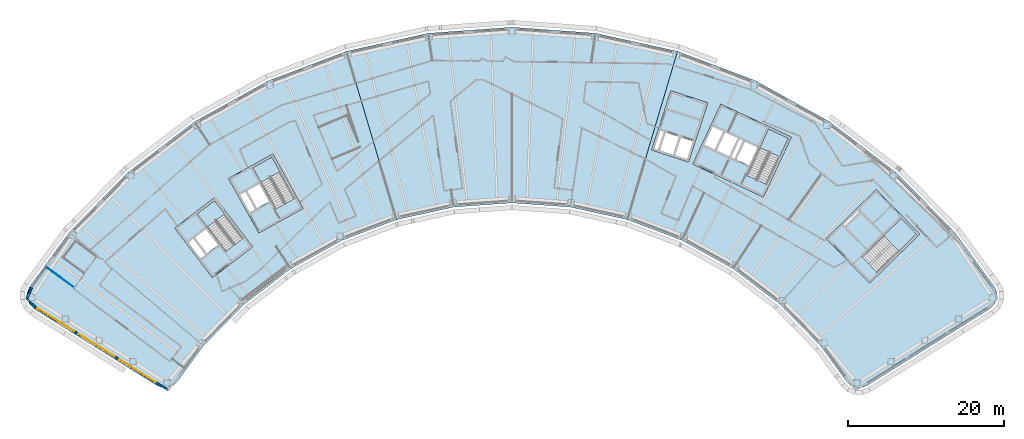
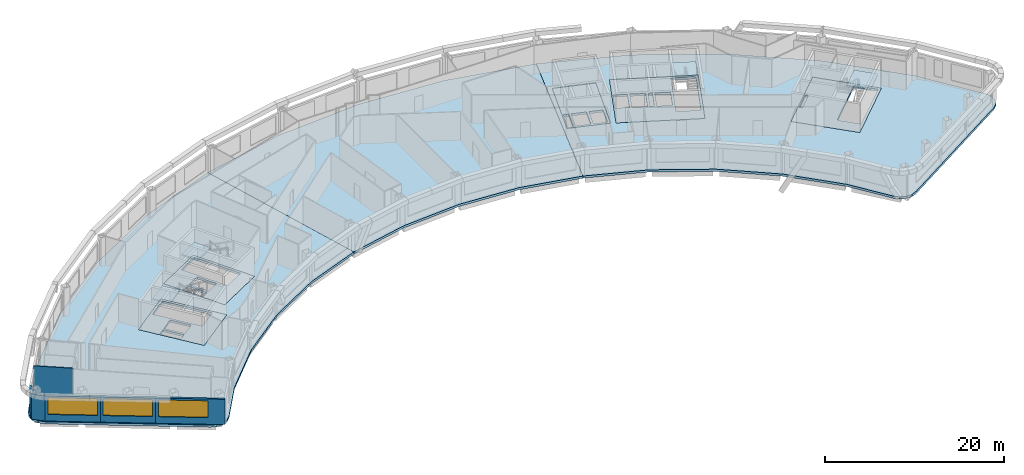
# One storey, part 4 of 14: 12 slabs, 6 walls, 3 windows, 3 openings, 4 elements without a shape of their own.
"""IFC4 building model written with IfcOpenShell, lengths in metres."""

from ifc_helpers import new_model, si_unit, direction, frame, frame_2d, origin, place, context, subcontext, project, spatial, polyline, rectangle, outline, extrude, material, layer, layer_set, type_object, element, fill, aggregate, save


model = new_model("IFC4")

# Units and contexts
model_context = context("Model", 3, precision=1e-05, world=origin(), true_north=direction((0.0, 1.0)))
body_context = subcontext(model_context, "Body", "Model", "MODEL_VIEW")
ifc_project = project(units=[si_unit("LENGTHUNIT", "METRE"), si_unit("AREAUNIT", "SQUARE_METRE"), si_unit("VOLUMEUNIT", "CUBIC_METRE"), si_unit("PLANEANGLEUNIT", "RADIAN"), si_unit("MASSUNIT", "GRAM", prefix="KILO")], contexts=[model_context])

# Site, building, storey
site_placement = place(None, origin())
site = spatial("IfcSite", under=ifc_project, at=site_placement, CompositionType="ELEMENT")
building_placement = place(site_placement, origin())
building = spatial("IfcBuilding", under=site, at=building_placement, Name="Tuul Gate Civic Tower", CompositionType="ELEMENT")
storey_placement = place(building_placement, frame((0.0, 0.0, 323.89990234375)))
storey = spatial("IfcBuildingStorey", under=building, at=storey_placement, Name="Level 73", CompositionType="ELEMENT", Elevation=323.89990234375)

# Slabs
ifc_material_1 = material(Name="Concrete C40/50", Category="concrete")
ifc_layer_1 = layer(ifc_material_1, 0.300048828125)
ifc_layer_set_1 = layer_set([ifc_layer_1], Name="Concrete C40/50")
slab_type_1 = type_object("IfcSlabType", Name="Core floor slab 300", PredefinedType="FLOOR", material=ifc_layer_set_1)
slab_1_placement = place(storey_placement, frame((0.0, 0.0, -0.2998046875)))
element("IfcSlab", 1, at=slab_1_placement, inside=storey, type_object=slab_type_1, Name="FLOOR SLAB", PredefinedType="FLOOR", context=body_context, shape_type="SweptSolid", body=[
    extrude(outline(polyline([(-31.10009765625, -13.7890625), (-35.946044921875, -7.423828125), (-41.11767578125, -11.361572265625), (-36.271484375, -17.726806640625), (-31.10009765625, -13.7890625)]), holes=[polyline([(-35.561767578125, -13.541259765625), (-37.1064453125, -11.512451171875), (-38.498779296875, -12.572509765625), (-36.9541015625, -14.6015625), (-35.561767578125, -13.541259765625)]), polyline([(-37.19287109375, -14.783203125), (-38.737548828125, -12.75439453125), (-39.45361328125, -13.299560546875), (-37.908935546875, -15.328369140625), (-37.19287109375, -14.783203125)]), polyline([(-32.33935546875, -12.65771484375), (-34.56591796875, -14.352783203125), (-38.229736328125, -9.54052734375), (-36.003173828125, -7.845458984375), (-32.33935546875, -12.65771484375)])]), origin(), (0.0, 0.0, 1.0), 0.2998046875),
])
slab_2_placement = place(storey_placement, frame((0.0, 0.0, -0.2998046875)))
element("IfcSlab", 2, at=slab_2_placement, inside=storey, type_object=slab_type_1, Name="FLOOR SLAB", PredefinedType="FLOOR", context=body_context, shape_type="SweptSolid", body=[
    extrude(outline(polyline([(-24.638916015625, -8.846923828125), (-28.51708984375, -1.849853515625), (-34.2021484375, -5.0009765625), (-30.32421875, -11.998046875), (-24.638916015625, -8.846923828125)]), holes=[polyline([(-29.0185546875, -7.958740234375), (-30.254638671875, -5.728515625), (-31.785400390625, -6.576904296875), (-30.54931640625, -8.80712890625), (-29.0185546875, -7.958740234375)]), polyline([(-30.8115234375, -8.95263671875), (-32.047607421875, -6.72216796875), (-32.8349609375, -7.158447265625), (-31.5986328125, -9.388916015625), (-30.8115234375, -8.95263671875)]), polyline([(-25.702392578125, -7.548828125), (-28.14990234375, -8.905517578125), (-31.08203125, -3.615234375), (-28.63427734375, -2.2587890625), (-25.702392578125, -7.548828125)])]), origin(), (0.0, 0.0, 1.0), 0.2998046875),
])
slab_3_placement = place(storey_placement, frame((0.0, 0.0, -0.2998046875)))
element("IfcSlab", 3, at=slab_3_placement, inside=storey, type_object=slab_type_1, Name="FLOOR SLAB", PredefinedType="FLOOR", context=body_context, shape_type="SweptSolid", body=[
    extrude(outline(polyline([(48.117919921875, -18.43310546875), (54.545166015625, -12.1328125), (48.945068359375, -6.419921875), (42.517822265625, -12.719970703125), (48.117919921875, -18.43310546875)]), holes=[polyline([(44.93896484375, -11.046875), (46.760009765625, -9.261962890625), (46.514892578125, -9.011962890625), (44.69384765625, -10.797119140625), (44.93896484375, -11.046875)]), polyline([(49.086181640625, -17.062744140625), (47.12744140625, -15.064208984375), (52.160888671875, -10.130126953125), (54.11962890625, -12.128662109375), (49.086181640625, -17.062744140625)])]), origin(), (0.0, 0.0, 1.0), 0.2998046875),
])
slab_4_placement = place(storey_placement, frame((0.0, 0.0, -0.2998046875)))
element("IfcSlab", 4, at=slab_4_placement, inside=storey, type_object=slab_type_1, Name="FLOOR SLAB", PredefinedType="FLOOR", context=body_context, shape_type="SweptSolid", body=[
    extrude(outline(polyline([(34.465087890625, -7.385986328125), (38.056884765625, 0.31787109375), (28.993896484375, 4.543701171875), (25.40185546875, -3.159912109375), (34.465087890625, -7.385986328125)]), holes=[polyline([(32.60888671875, -3.32080078125), (33.6865234375, -1.009765625), (32.1005859375, -0.27001953125), (31.02294921875, -2.581298828125), (32.60888671875, -3.32080078125)]), polyline([(30.0712890625, -2.137451171875), (31.14892578125, 0.173583984375), (29.562744140625, 0.9130859375), (28.4853515625, -1.39794921875), (30.0712890625, -2.137451171875)]), polyline([(30.751220703125, -2.454345703125), (31.82861328125, -0.143310546875), (31.4208984375, 0.046875), (30.34326171875, -2.264404296875), (30.751220703125, -2.454345703125)]), polyline([(28.21337890625, -1.27099609375), (29.291015625, 1.0400390625), (27.8408203125, 1.71630859375), (26.76318359375, -0.594970703125), (28.21337890625, -1.27099609375)]), polyline([(34.889892578125, -5.7626953125), (32.353759765625, -4.580078125), (35.120849609375, 1.354736328125), (37.6572265625, 0.17236328125), (34.889892578125, -5.7626953125)])]), origin(), (0.0, 0.0, 1.0), 0.2998046875),
])
ifc_material_2 = material(Name="Concrete C40/50", Category="concrete")
ifc_layer_2 = layer(ifc_material_2, 0.300048828125)
ifc_layer_set_2 = layer_set([ifc_layer_2], Name="Concrete C40/50")
slab_type_2 = type_object("IfcSlabType", Name="Core floor slab 300 non-bearing", PredefinedType="FLOOR", material=ifc_layer_set_2)
slab_5_placement = place(storey_placement, frame((0.0, 0.0, -0.2998046875)))
element("IfcSlab", 5, at=slab_5_placement, inside=storey, type_object=slab_type_2, Name="FLOOR SLAB", PredefinedType="FLOOR", context=body_context, shape_type="SweptSolid", body=[
    extrude(outline(polyline([(24.864990234375, -2.888916015625), (27.337890625, 4.71923828125), (22.58251953125, 6.264404296875), (20.109619140625, -1.343994140625), (24.864990234375, -2.888916015625)]), holes=[polyline([(24.67236328125, -2.510986328125), (25.414306640625, -0.228515625), (23.892578125, 0.265869140625), (23.150634765625, -2.0166015625), (24.67236328125, -2.510986328125)]), polyline([(22.865478515625, -1.923828125), (23.607177734375, 0.358642578125), (21.94287109375, 0.8994140625), (21.201171875, -1.383056640625), (22.865478515625, -1.923828125)]), polyline([(20.869384765625, -1.43310546875), (21.65771484375, 0.9921875), (21.0869140625, 1.177490234375), (20.298583984375, -1.24755859375), (20.869384765625, -1.43310546875)])]), origin(), (0.0, 0.0, 1.0), 0.2998046875),
])

# Stair, slab
ifc_material_3 = material(Name="Concrete C40/50", Category="concrete")
stair_type = type_object("IfcStairType", Name="Exit stair", PredefinedType="HALF_TURN_STAIR", material=ifc_material_3)
stair_1_placement = place(storey_placement, origin())
stair_1 = element("IfcStair", 6, at=stair_1_placement, inside=storey, type_object=stair_type, Name="Level 73 ST-1", PredefinedType="HALF_TURN_STAIR")
ifc_material_4 = material(Name="Concrete C40/50", Category="concrete")
ifc_layer_3 = layer(ifc_material_4, 0.199951171875)
ifc_layer_set_3 = layer_set([ifc_layer_3], Name="Concrete C40/50")
slab_type_3 = type_object("IfcSlabType", Name="Exit stair landing", PredefinedType="LANDING", material=ifc_layer_set_3)
slab_6_placement = place(storey_placement, frame((0.0, 0.0, 1.900146484375)))
slab_6 = element("IfcSlab", 7, at=slab_6_placement, type_object=slab_type_3, Name="ST-1 landing 1", PredefinedType="LANDING", context=body_context, shape_type="SweptSolid", body=[
    extrude(outline(polyline([(-34.699462890625, -9.554931640625), (-36.9287109375, -11.252197265625), (-38.23193359375, -9.540283203125), (-36.0029296875, -7.843017578125), (-34.699462890625, -9.554931640625)])), origin(), (0.0, 0.0, 1.0), 0.199951171875),
])
aggregate(stair_1, [slab_6])

stair_2_placement = place(storey_placement, origin())
stair_2 = element("IfcStair", 8, at=stair_2_placement, inside=storey, type_object=stair_type, Name="Level 73 ST-2", PredefinedType="HALF_TURN_STAIR")
slab_7_placement = place(storey_placement, frame((0.0, 0.0, 1.900146484375)))
slab_7 = element("IfcSlab", 9, at=slab_7_placement, type_object=slab_type_3, Name="ST-2 landing 1", PredefinedType="LANDING", context=body_context, shape_type="SweptSolid", body=[
    extrude(outline(polyline([(-27.5908203125, -4.138427734375), (-30.041015625, -5.49658203125), (-31.084228515625, -3.61474609375), (-28.6337890625, -2.256591796875), (-27.5908203125, -4.138427734375)])), origin(), (0.0, 0.0, 1.0), 0.199951171875),
])
aggregate(stair_2, [slab_7])

stair_3_placement = place(storey_placement, origin())
stair_3 = element("IfcStair", 10, at=stair_3_placement, inside=storey, type_object=stair_type, Name="Level 73 ST-3", PredefinedType="HALF_TURN_STAIR")
slab_8_placement = place(storey_placement, frame((0.0, 0.0, 1.900146484375)))
slab_8 = element("IfcSlab", 11, at=slab_8_placement, type_object=slab_type_3, Name="ST-3 landing 1", PredefinedType="LANDING", context=body_context, shape_type="SweptSolid", body=[
    extrude(outline(polyline([(51.871337890625, -14.3349609375), (49.91015625, -12.334228515625), (52.160888671875, -10.1279296875), (54.1220703125, -12.128662109375), (51.871337890625, -14.3349609375)])), origin(), (0.0, 0.0, 1.0), 0.199951171875),
])
aggregate(stair_3, [slab_8])

stair_4_placement = place(storey_placement, origin())
stair_4 = element("IfcStair", 12, at=stair_4_placement, inside=storey, type_object=stair_type, Name="Level 73 ST-4", PredefinedType="HALF_TURN_STAIR")
slab_9_placement = place(storey_placement, frame((0.0, 0.0, 1.900146484375)))
slab_9 = element("IfcSlab", 13, at=slab_9_placement, type_object=slab_type_3, Name="ST-4 landing 1", PredefinedType="LANDING", context=body_context, shape_type="SweptSolid", body=[
    extrude(outline(polyline([(36.538818359375, -2.230224609375), (33.999755859375, -1.046142578125), (35.1201171875, 1.35693359375), (37.659423828125, 0.173095703125), (36.538818359375, -2.230224609375)])), origin(), (0.0, 0.0, 1.0), 0.199951171875),
])
aggregate(stair_4, [slab_9])

# Slabs
ifc_material_5 = material(Name="Concrete C35/45", Category="concrete")
ifc_layer_4 = layer(ifc_material_5, 0.300048828125)
ifc_layer_set_4 = layer_set([ifc_layer_4], Name="Concrete C35/45")
slab_type_4 = type_object("IfcSlabType", Name="STR-FLOOR-SLAB-300", PredefinedType="FLOOR", material=ifc_layer_set_4)
slab_10_placement = place(storey_placement, frame((0.0, 0.0, -0.2998046875)))
element("IfcSlab", 14, at=slab_10_placement, inside=storey, type_object=slab_type_4, Name="Level 73/slab/W", PredefinedType="FLOOR", context=body_context, shape_type="SweptSolid", body=[
    extrude(outline(polyline([(-19.64208984375, -12.94189453125), (-12.6220703125, -10.287109375), (-19.055908203125, 11.3349609375), (-29.125, 7.528076171875), (-38.5390625, 2.30908203125), (-47.10400390625, -4.2119140625), (-54.638916015625, -11.89892578125), (-59.718994140625, -18.85498046875), (-60.055908203125, -19.597900390625), (-60.068115234375, -20.4140625), (-59.7529296875, -21.1669921875), (-59.1640625, -21.73095703125), (-43.43408203125, -31.56005859375), (-42.739990234375, -31.830078125), (-41.9951171875, -31.827880859375), (-41.302978515625, -31.552978515625), (-40.759033203125, -31.0439453125), (-37.429931640625, -26.486083984375), (-32.177001953125, -21.1259765625), (-26.2060546875, -16.580078125), (-19.64208984375, -12.94189453125)]), holes=[polyline([(-31.10009765625, -13.7890625), (-36.27197265625, -17.72705078125), (-41.117919921875, -11.362060546875), (-35.946044921875, -7.424072265625), (-31.10009765625, -13.7890625)]), polyline([(-24.638916015625, -8.846923828125), (-30.323974609375, -11.998046875), (-34.201904296875, -5.0009765625), (-28.51708984375, -1.85009765625), (-24.638916015625, -8.846923828125)])]), origin(), (0.0, 0.0, 1.0), 0.2998046875),
])
slab_11_placement = place(storey_placement, frame((0.0, 0.0, -0.2998046875)))
element("IfcSlab", 15, at=slab_11_placement, inside=storey, type_object=slab_type_4, Name="Level 73/slab/M", PredefinedType="FLOOR", context=body_context, shape_type="SweptSolid", body=[
    extrude(outline(polyline([(17.006103515625, -10.287109375), (23.43994140625, 11.3349609375), (12.927978515625, 13.652099609375), (2.19189453125, 14.428955078125), (-8.5439453125, 13.652099609375), (-19.055908203125, 11.3349609375), (-12.6220703125, -10.287109375), (-5.29296875, -8.672119140625), (2.19189453125, -8.1298828125), (9.677001953125, -8.672119140625), (17.006103515625, -10.287109375)])), origin(), (0.0, 0.0, 1.0), 0.2998046875),
])
slab_12_placement = place(storey_placement, frame((0.0, 0.0, -0.2998046875)))
element("IfcSlab", 16, at=slab_12_placement, inside=storey, type_object=slab_type_4, Name="Level 73/slab/E", PredefinedType="FLOOR", context=body_context, shape_type="SweptSolid", body=[
    extrude(outline(polyline([(47.1240234375, -31.830078125), (47.818115234375, -31.56005859375), (63.548095703125, -21.73095703125), (64.136962890625, -21.1669921875), (64.451904296875, -20.4140625), (64.43994140625, -19.597900390625), (64.10302734375, -18.85498046875), (59.02294921875, -11.89892578125), (51.488037109375, -4.2119140625), (42.923095703125, 2.30908203125), (33.509033203125, 7.528076171875), (23.43994140625, 11.3349609375), (17.006103515625, -10.287109375), (24.02587890625, -12.94189453125), (30.590087890625, -16.580078125), (36.56103515625, -21.1259765625), (41.81396484375, -26.486083984375), (45.14306640625, -31.0439453125), (45.68701171875, -31.552978515625), (46.37890625, -31.827880859375), (47.1240234375, -31.830078125)]), holes=[polyline([(48.117919921875, -18.43310546875), (42.51806640625, -12.719970703125), (48.945068359375, -6.419921875), (54.544921875, -12.133056640625), (48.117919921875, -18.43310546875)]), polyline([(25.402099609375, -3.159912109375), (28.993896484375, 4.5439453125), (38.056884765625, 0.318115234375), (34.465087890625, -7.385986328125), (25.402099609375, -3.159912109375)]), polyline([(20.110107421875, -1.343994140625), (22.58203125, 6.264892578125), (27.337890625, 4.719970703125), (24.864990234375, -2.888916015625), (20.110107421875, -1.343994140625)])]), origin(), (0.0, 0.0, 1.0), 0.2998046875),
])

# Walls
ifc_material_6 = material(Name="Precast concrete C40/50", Category="concrete")
ifc_layer_5 = layer(ifc_material_6, 0.25)
ifc_layer_set_5 = layer_set([ifc_layer_5], Name="Precast concrete C40/50")
wall_type_1 = type_object("IfcWallType", Name="External wall", PredefinedType="STANDARD", material=ifc_layer_set_5)
wall_1_placement = place(storey_placement, frame((-59.484130859375, -18.99560546875, 0.0), z_axis=(0.0, 0.0, 1.0), x_axis=(-0.413463423134, -0.910520728886, 0.0)))
element("IfcWall", 17, at=wall_1_placement, inside=storey, type_object=wall_type_1, Name="External wall", PredefinedType="STANDARD", context=body_context, shape_type="SweptSolid", body=[
    extrude(rectangle(XDim=1.5712890625, YDim=0.25, at=frame_2d((0.78564453125, 0.0))), origin(), (0.0, 0.0, 1.0), 3.4501953125),
])
wall_2_placement = place(storey_placement, frame((-60.1337890625, -20.42626953125, 0.0), z_axis=(0.0, 0.0, 1.0), x_axis=(0.722162740816, -0.691723193031, 0.0)))
element("IfcWall", 18, at=wall_2_placement, inside=storey, type_object=wall_type_1, Name="External wall", PredefinedType="STANDARD", context=body_context, shape_type="SweptSolid", body=[
    extrude(rectangle(XDim=1.572021484375, YDim=0.25, at=frame_2d((0.7861328125, 0.0))), origin(), (0.0, 0.0, 1.0), 3.4501953125),
])

# Wall, opening, window
wall_3_placement = place(storey_placement, frame((-59.018798828125, -21.498046875, 0.0), z_axis=(0.0, 0.0, 1.0), x_axis=(0.848053758074, -0.529910203164, 0.0)))
wall_3 = element("IfcWall", 19, at=wall_3_placement, inside=storey, type_object=wall_type_1, Name="External wall", PredefinedType="STANDARD", context=body_context, shape_type="SweptSolid", body=[
    extrude(rectangle(XDim=6.182861328125, YDim=0.25, at=frame_2d((3.09130859375, 0.0))), origin(), (0.0, 0.0, 1.0), 3.4501953125),
])
opening_1_placement = place(wall_3_placement, frame((0.31640625, 0.0, 0.89990234375)))
opening_1 = element("IfcOpeningElement", 20, at=opening_1_placement, cuts=wall_3, Name="Opening W24", PredefinedType="OPENING", context=body_context, shape_type="SweptSolid", body=[
    extrude(rectangle(XDim=5.550048828125, YDim=2.300048828125, at=frame_2d((2.77490234375, 1.14990234375))), frame((0.0, 0.135009765625, 0.0), z_axis=(0.0, -1.0, 0.0), x_axis=(1.0, 0.0, 0.0)), (0.0, 0.0, 1.0), 0.27001953125),
])
ifc_material_7 = material(Name="Glass", Category="glass")
window_type = type_object("IfcWindowType", Name="Window W24 5550 x 2300", PartitioningType="SINGLE_PANEL", PredefinedType="WINDOW", material=ifc_material_7)
window_1_placement = place(opening_1_placement, origin())
window_1 = element("IfcWindow", 21, at=window_1_placement, inside=storey, type_object=window_type, Name="Window", OverallHeight=2.300048828125, OverallWidth=5.550048828125, PartitioningType="SINGLE_PANEL", PredefinedType="WINDOW", context=body_context, shape_type="SweptSolid", body=[
    extrude(rectangle(XDim=5.550048828125, YDim=2.300048828125, at=frame_2d((2.77490234375, 1.14990234375))), frame((0.0, 0.030029296875, 0.0), z_axis=(0.0, -1.0, 0.0), x_axis=(1.0, 0.0, 0.0)), (0.0, 0.0, 1.0), 0.06005859375),
])
fill(opening_1, window_1)

wall_4_placement = place(storey_placement, frame((-53.775390625, -24.7744140625, 0.0), z_axis=(0.0, 0.0, 1.0), x_axis=(0.848053758074, -0.529910203164, 0.0)))
wall_4 = element("IfcWall", 22, at=wall_4_placement, inside=storey, type_object=wall_type_1, Name="External wall", PredefinedType="STANDARD", context=body_context, shape_type="SweptSolid", body=[
    extrude(rectangle(XDim=6.182861328125, YDim=0.25, at=frame_2d((3.09130859375, 0.0))), origin(), (0.0, 0.0, 1.0), 3.4501953125),
])
opening_2_placement = place(wall_4_placement, frame((0.31640625, 0.0, 0.89990234375)))
opening_2 = element("IfcOpeningElement", 23, at=opening_2_placement, cuts=wall_4, Name="Opening W24", PredefinedType="OPENING", context=body_context, shape_type="SweptSolid", body=[
    extrude(rectangle(XDim=5.550048828125, YDim=2.300048828125, at=frame_2d((2.77490234375, 1.14990234375))), frame((0.0, 0.135009765625, 0.0), z_axis=(0.0, -1.0, 0.0), x_axis=(1.0, 0.0, 0.0)), (0.0, 0.0, 1.0), 0.27001953125),
])
window_2_placement = place(opening_2_placement, origin())
window_2 = element("IfcWindow", 24, at=window_2_placement, inside=storey, type_object=window_type, Name="Window", OverallHeight=2.300048828125, OverallWidth=5.550048828125, PartitioningType="SINGLE_PANEL", PredefinedType="WINDOW", context=body_context, shape_type="SweptSolid", body=[
    extrude(rectangle(XDim=5.550048828125, YDim=2.300048828125, at=frame_2d((2.77490234375, 1.14990234375))), frame((0.0, 0.030029296875, 0.0), z_axis=(0.0, -1.0, 0.0), x_axis=(1.0, 0.0, 0.0)), (0.0, 0.0, 1.0), 0.06005859375),
])
fill(opening_2, window_2)

wall_5_placement = place(storey_placement, frame((-48.531982421875, -28.05078125, 0.0), z_axis=(0.0, 0.0, 1.0), x_axis=(0.848061701049, -0.529897491233, 0.0)))
wall_5 = element("IfcWall", 25, at=wall_5_placement, inside=storey, type_object=wall_type_1, Name="External wall", PredefinedType="STANDARD", context=body_context, shape_type="SweptSolid", body=[
    extrude(rectangle(XDim=7.787841796875, YDim=0.25, at=frame_2d((3.89404296875, 0.0))), origin(), (0.0, 0.0, 1.0), 3.4501953125),
])
opening_3_placement = place(wall_5_placement, frame((0.31640625, 0.0, 0.89990234375)))
opening_3 = element("IfcOpeningElement", 26, at=opening_3_placement, cuts=wall_5, Name="Opening W24", PredefinedType="OPENING", context=body_context, shape_type="SweptSolid", body=[
    extrude(rectangle(XDim=5.550048828125, YDim=2.300048828125, at=frame_2d((2.77490234375, 1.14990234375))), frame((0.0, 0.135009765625, 0.0), z_axis=(0.0, -1.0, 0.0), x_axis=(1.0, 0.0, 0.0)), (0.0, 0.0, 1.0), 0.27001953125),
])
window_3_placement = place(opening_3_placement, origin())
window_3 = element("IfcWindow", 27, at=window_3_placement, inside=storey, type_object=window_type, Name="Window", OverallHeight=2.300048828125, OverallWidth=5.550048828125, PartitioningType="SINGLE_PANEL", PredefinedType="WINDOW", context=body_context, shape_type="SweptSolid", body=[
    extrude(rectangle(XDim=5.550048828125, YDim=2.300048828125, at=frame_2d((2.77490234375, 1.14990234375))), frame((0.0, 0.030029296875, 0.0), z_axis=(0.0, -1.0, 0.0), x_axis=(1.0, 0.0, 0.0)), (0.0, 0.0, 1.0), 0.06005859375),
])
fill(opening_3, window_3)

# Wall
ifc_material_8 = material(Name="Gypsum board partition")
ifc_layer_6 = layer(ifc_material_8, 0.10009765625)
ifc_layer_set_6 = layer_set([ifc_layer_6], Name="Gypsum board partition")
wall_type_2 = type_object("IfcWallType", Name="Partition P100", PredefinedType="PARTITIONING", material=ifc_layer_set_6)
wall_6_placement = place(storey_placement, frame((-57.594970703125, -16.40478515625, 0.0), z_axis=(0.0, 0.0, 1.0), x_axis=(0.807564402397, -0.58977939603, 0.0)))
element("IfcWall", 28, at=wall_6_placement, inside=storey, type_object=wall_type_2, Name="p044", PredefinedType="PARTITIONING", context=body_context, shape_type="SweptSolid", body=[
    extrude(rectangle(XDim=4.439208984375, YDim=0.10009765625, at=frame_2d((2.2197265625, 0.0))), origin(), (0.0, 0.0, 1.0), 3.900146484375),
])

save(model, "model.ifc")
